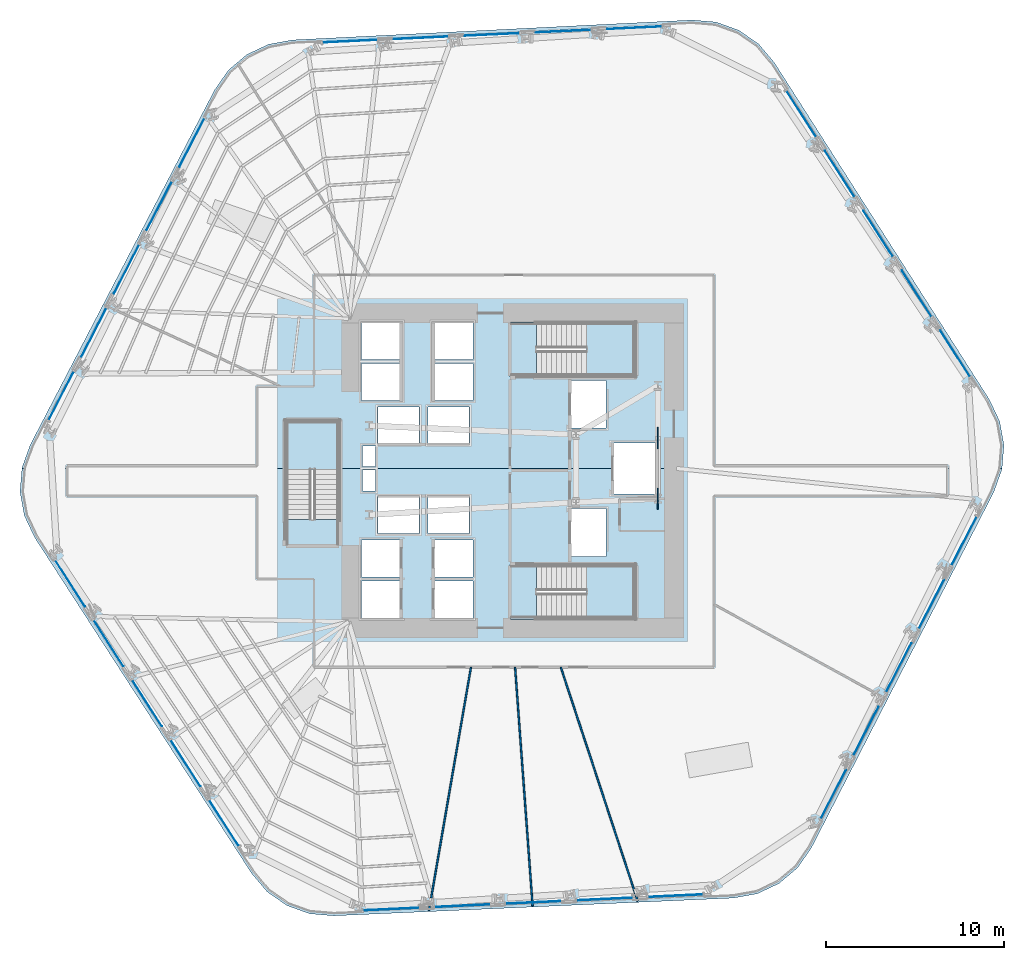
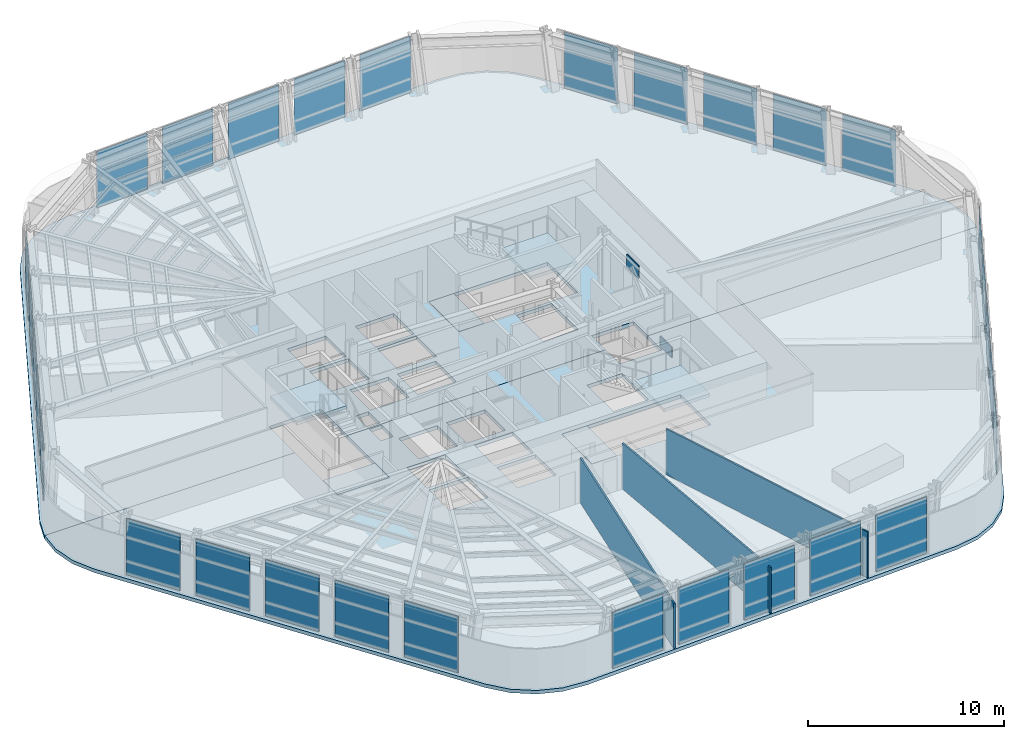
# One storey, part 7 of 15: 32 plates, 8 slabs, 3 walls, 9 elements without a shape of their own.
"""IFC4 building model written with IfcOpenShell, lengths in metres."""

from ifc_helpers import new_model, si_unit, direction, frame, frame_2d, origin, origin_2d, place, context, subcontext, project, spatial, polyline, rectangle, outline, extrude, material, layer, layer_set, type_object, element, aggregate, save


model = new_model("IFC4")

# Units and contexts
model_context = context("Model", 3, precision=1e-05, world=origin(), true_north=direction((0.0, 1.0)))
body_context = subcontext(model_context, "Body", "Model", "MODEL_VIEW")
ifc_project = project(units=[si_unit("LENGTHUNIT", "METRE"), si_unit("AREAUNIT", "SQUARE_METRE"), si_unit("VOLUMEUNIT", "CUBIC_METRE"), si_unit("PLANEANGLEUNIT", "RADIAN"), si_unit("MASSUNIT", "GRAM", prefix="KILO")], contexts=[model_context])

# Site, building, storey
site_placement = place(None, origin())
site = spatial("IfcSite", under=ifc_project, at=site_placement, CompositionType="ELEMENT")
building_placement = place(site_placement, origin())
building = spatial("IfcBuilding", under=site, at=building_placement, Name="Valkerne Bourse Tower", CompositionType="ELEMENT")
storey_placement = place(building_placement, frame((0.0, 0.0, 35.39990234375)))
storey = spatial("IfcBuildingStorey", under=building, at=storey_placement, Name="L08", CompositionType="ELEMENT", Elevation=35.39990234375)

# Curtain wall, plates
ifc_material_1 = material(Name="Aluminium AA 6063-T6", Category="aluminium")
ifc_layer_1 = layer(ifc_material_1, 0.22509765625)
ifc_layer_set_1 = layer_set([ifc_layer_1], Name="Aluminium AA 6063-T6")
curtain_wall_type = type_object("IfcCurtainWallType", Name="CW-01", PredefinedType="NOTDEFINED", material=ifc_layer_set_1)
curtain_wall_1_placement = place(storey_placement, origin())
curtain_wall_1 = element("IfcCurtainWall", 1, at=curtain_wall_1_placement, inside=storey, type_object=curtain_wall_type, Name="L08 Hexagonal Stick Curtain Wall Face 1", PredefinedType="NOTDEFINED")
ifc_material_2 = material(Name="Glass IGU Low-E Double Glazed", Category="glass")
ifc_layer_2 = layer(ifc_material_2, 0.031982421875)
ifc_layer_set_2 = layer_set([ifc_layer_2], Name="Glass IGU Low-E Double Glazed")
plate_type_1 = type_object("IfcPlateType", Name="CW-PNL-IGU-32", PredefinedType="CURTAIN_PANEL", material=ifc_layer_set_2)
plate_1_placement = place(storey_placement, frame((71.627197265625, 33.44140625, 0.030029296875), z_axis=(0.0, 0.0, 1.0), x_axis=(-0.540237656625, 0.841512492102, 0.0)))
plate_1 = element("IfcPlate", 2, at=plate_1_placement, type_object=plate_type_1, Name="CW-L08-F1 Curtain Panel 00", PredefinedType="CURTAIN_PANEL", context=body_context, shape_type="SweptSolid", body=[
    extrude(rectangle(XDim=3.075927734375, YDim=0.031982421875, at=origin_2d()), origin(), (0.0, 0.0, 1.0), 3.52001953125),
])
plate_2_placement = place(storey_placement, frame((69.46826171875, 36.80419921875, 0.030029296875), z_axis=(0.0, 0.0, 1.0), x_axis=(-0.540249033561, 0.841505188181, 0.0)))
plate_2 = element("IfcPlate", 3, at=plate_2_placement, type_object=plate_type_1, Name="CW-L08-F1 Curtain Panel 01", PredefinedType="CURTAIN_PANEL", context=body_context, shape_type="SweptSolid", body=[
    extrude(rectangle(XDim=3.075927734375, YDim=0.031982421875, at=origin_2d()), origin(), (0.0, 0.0, 1.0), 3.52001953125),
])
plate_3_placement = place(storey_placement, frame((67.3095703125, 40.166748046875, 0.030029296875), z_axis=(0.0, 0.0, 1.0), x_axis=(-0.540237656625, 0.841512492102, 0.0)))
plate_3 = element("IfcPlate", 4, at=plate_3_placement, type_object=plate_type_1, Name="CW-L08-F1 Curtain Panel 02", PredefinedType="CURTAIN_PANEL", context=body_context, shape_type="SweptSolid", body=[
    extrude(rectangle(XDim=3.075927734375, YDim=0.031982421875, at=origin_2d()), origin(), (0.0, 0.0, 1.0), 3.52001953125),
])
plate_4_placement = place(storey_placement, frame((65.150634765625, 43.529541015625, 0.030029296875), z_axis=(0.0, 0.0, 1.0), x_axis=(-0.540237656625, 0.841512492102, 0.0)))
plate_4 = element("IfcPlate", 5, at=plate_4_placement, type_object=plate_type_1, Name="CW-L08-F1 Curtain Panel 03", PredefinedType="CURTAIN_PANEL", context=body_context, shape_type="SweptSolid", body=[
    extrude(rectangle(XDim=3.075927734375, YDim=0.031982421875, at=origin_2d()), origin(), (0.0, 0.0, 1.0), 3.52001953125),
])
plate_5_placement = place(storey_placement, frame((62.991943359375, 46.89208984375, 0.030029296875), z_axis=(0.0, 0.0, 1.0), x_axis=(-0.540237656625, 0.841512492102, 0.0)))
plate_5 = element("IfcPlate", 6, at=plate_5_placement, type_object=plate_type_1, Name="CW-L08-F1 Curtain Panel 04", PredefinedType="CURTAIN_PANEL", context=body_context, shape_type="SweptSolid", body=[
    extrude(rectangle(XDim=3.075927734375, YDim=0.031982421875, at=origin_2d()), origin(), (0.0, 0.0, 1.0), 3.52001953125),
])
aggregate(curtain_wall_1, [plate_1, plate_2, plate_3, plate_4, plate_5])

curtain_wall_2_placement = place(storey_placement, origin())
curtain_wall_2 = element("IfcCurtainWall", 7, at=curtain_wall_2_placement, inside=storey, type_object=curtain_wall_type, Name="L08 Hexagonal Stick Curtain Wall Face 2", PredefinedType="NOTDEFINED")
plate_6_placement = place(storey_placement, frame((53.635009765625, 51.7216796875, 0.030029296875), z_axis=(0.0, 0.0, 1.0), x_axis=(-0.998890279552, -0.047097870623, 0.0)))
plate_6 = element("IfcPlate", 8, at=plate_6_placement, type_object=plate_type_1, Name="CW-L08-F2 Curtain Panel 00", PredefinedType="CURTAIN_PANEL", context=body_context, shape_type="SweptSolid", body=[
    extrude(rectangle(XDim=3.075927734375, YDim=0.031982421875, at=origin_2d()), origin(), (0.0, 0.0, 1.0), 3.52001953125),
])
plate_7_placement = place(storey_placement, frame((49.6435546875, 51.533203125, 0.030029296875), z_axis=(0.0, 0.0, 1.0), x_axis=(-0.998889157472, -0.047121662581, 0.0)))
plate_7 = element("IfcPlate", 9, at=plate_7_placement, type_object=plate_type_1, Name="CW-L08-F2 Curtain Panel 01", PredefinedType="CURTAIN_PANEL", context=body_context, shape_type="SweptSolid", body=[
    extrude(rectangle(XDim=3.075927734375, YDim=0.031982421875, at=origin_2d()), origin(), (0.0, 0.0, 1.0), 3.52001953125),
])
plate_8_placement = place(storey_placement, frame((45.65185546875, 51.34521484375, 0.030029296875), z_axis=(0.0, 0.0, 1.0), x_axis=(-0.998890335061, -0.047096693327, 0.0)))
plate_8 = element("IfcPlate", 10, at=plate_8_placement, type_object=plate_type_1, Name="CW-L08-F2 Curtain Panel 02", PredefinedType="CURTAIN_PANEL", context=body_context, shape_type="SweptSolid", body=[
    extrude(rectangle(XDim=3.076171875, YDim=0.031982421875, at=origin_2d()), origin(), (0.0, 0.0, 1.0), 3.52001953125),
])
plate_9_placement = place(storey_placement, frame((41.660400390625, 51.156982421875, 0.030029296875), z_axis=(0.0, 0.0, 1.0), x_axis=(-0.998890279552, -0.047097870623, 0.0)))
plate_9 = element("IfcPlate", 11, at=plate_9_placement, type_object=plate_type_1, Name="CW-L08-F2 Curtain Panel 03", PredefinedType="CURTAIN_PANEL", context=body_context, shape_type="SweptSolid", body=[
    extrude(rectangle(XDim=3.075927734375, YDim=0.031982421875, at=origin_2d()), origin(), (0.0, 0.0, 1.0), 3.52001953125),
])
plate_10_placement = place(storey_placement, frame((37.668701171875, 50.968505859375, 0.030029296875), z_axis=(0.0, 0.0, 1.0), x_axis=(-0.998889157472, -0.047121662581, 0.0)))
plate_10 = element("IfcPlate", 12, at=plate_10_placement, type_object=plate_type_1, Name="CW-L08-F2 Curtain Panel 04", PredefinedType="CURTAIN_PANEL", context=body_context, shape_type="SweptSolid", body=[
    extrude(rectangle(XDim=3.075927734375, YDim=0.031982421875, at=origin_2d()), origin(), (0.0, 0.0, 1.0), 3.52001953125),
])
aggregate(curtain_wall_2, [plate_6, plate_7, plate_8, plate_9, plate_10])

curtain_wall_3_placement = place(storey_placement, origin())
curtain_wall_3 = element("IfcCurtainWall", 13, at=curtain_wall_3_placement, inside=storey, type_object=curtain_wall_type, Name="L08 Hexagonal Stick Curtain Wall Face 3", PredefinedType="NOTDEFINED")
plate_11_placement = place(storey_placement, frame((28.807861328125, 45.280029296875, 0.030029296875), z_axis=(0.0, 0.0, 1.0), x_axis=(-0.458658218467, -0.888612760786, 0.0)))
plate_11 = element("IfcPlate", 14, at=plate_11_placement, type_object=plate_type_1, Name="CW-L08-F3 Curtain Panel 00", PredefinedType="CURTAIN_PANEL", context=body_context, shape_type="SweptSolid", body=[
    extrude(rectangle(XDim=3.075927734375, YDim=0.031982421875, at=origin_2d()), origin(), (0.0, 0.0, 1.0), 3.52001953125),
])
plate_12_placement = place(storey_placement, frame((26.97509765625, 41.729248046875, 0.030029296875), z_axis=(0.0, 0.0, 1.0), x_axis=(-0.458638457578, -0.888622960108, 0.0)))
plate_12 = element("IfcPlate", 15, at=plate_12_placement, type_object=plate_type_1, Name="CW-L08-F3 Curtain Panel 01", PredefinedType="CURTAIN_PANEL", context=body_context, shape_type="SweptSolid", body=[
    extrude(rectangle(XDim=3.075927734375, YDim=0.031982421875, at=origin_2d()), origin(), (0.0, 0.0, 1.0), 3.52001953125),
])
plate_13_placement = place(storey_placement, frame((25.142578125, 38.17822265625, 0.030029296875), z_axis=(0.0, 0.0, 1.0), x_axis=(-0.458658218467, -0.888612760786, 0.0)))
plate_13 = element("IfcPlate", 16, at=plate_13_placement, type_object=plate_type_1, Name="CW-L08-F3 Curtain Panel 02", PredefinedType="CURTAIN_PANEL", context=body_context, shape_type="SweptSolid", body=[
    extrude(rectangle(XDim=3.075927734375, YDim=0.031982421875, at=origin_2d()), origin(), (0.0, 0.0, 1.0), 3.52001953125),
])
plate_14_placement = place(storey_placement, frame((23.3095703125, 34.62744140625, 0.030029296875), z_axis=(0.0, 0.0, 1.0), x_axis=(-0.458658218467, -0.888612760786, 0.0)))
plate_14 = element("IfcPlate", 17, at=plate_14_placement, type_object=plate_type_1, Name="CW-L08-F3 Curtain Panel 03", PredefinedType="CURTAIN_PANEL", context=body_context, shape_type="SweptSolid", body=[
    extrude(rectangle(XDim=3.075927734375, YDim=0.031982421875, at=origin_2d()), origin(), (0.0, 0.0, 1.0), 3.52001953125),
])
plate_15_placement = place(storey_placement, frame((21.476806640625, 31.076416015625, 0.030029296875), z_axis=(0.0, 0.0, 1.0), x_axis=(-0.458638457578, -0.888622960108, 0.0)))
plate_15 = element("IfcPlate", 18, at=plate_15_placement, type_object=plate_type_1, Name="CW-L08-F3 Curtain Panel 04", PredefinedType="CURTAIN_PANEL", context=body_context, shape_type="SweptSolid", body=[
    extrude(rectangle(XDim=3.075927734375, YDim=0.031982421875, at=origin_2d()), origin(), (0.0, 0.0, 1.0), 3.52001953125),
])
aggregate(curtain_wall_3, [plate_11, plate_12, plate_13, plate_14, plate_15])

curtain_wall_4_placement = place(storey_placement, origin())
curtain_wall_4 = element("IfcCurtainWall", 19, at=curtain_wall_4_placement, inside=storey, type_object=curtain_wall_type, Name="L08 Hexagonal Stick Curtain Wall Face 4", PredefinedType="NOTDEFINED")
plate_16_placement = place(storey_placement, frame((21.972900390625, 20.55859375, 0.030029296875), z_axis=(0.0, 0.0, 1.0), x_axis=(0.540237656625, -0.841512492102, 0.0)))
plate_16 = element("IfcPlate", 20, at=plate_16_placement, type_object=plate_type_1, Name="CW-L08-F4 Curtain Panel 00", PredefinedType="CURTAIN_PANEL", context=body_context, shape_type="SweptSolid", body=[
    extrude(rectangle(XDim=3.075927734375, YDim=0.031982421875, at=origin_2d()), origin(), (0.0, 0.0, 1.0), 3.52001953125),
])
plate_17_placement = place(storey_placement, frame((24.131591796875, 17.19580078125, 0.030029296875), z_axis=(0.0, 0.0, 1.0), x_axis=(0.540249033561, -0.841505188181, 0.0)))
plate_17 = element("IfcPlate", 21, at=plate_17_placement, type_object=plate_type_1, Name="CW-L08-F4 Curtain Panel 01", PredefinedType="CURTAIN_PANEL", context=body_context, shape_type="SweptSolid", body=[
    extrude(rectangle(XDim=3.075927734375, YDim=0.031982421875, at=origin_2d()), origin(), (0.0, 0.0, 1.0), 3.52001953125),
])
plate_18_placement = place(storey_placement, frame((26.29052734375, 13.833251953125, 0.030029296875), z_axis=(0.0, 0.0, 1.0), x_axis=(0.540237656625, -0.841512492102, 0.0)))
plate_18 = element("IfcPlate", 22, at=plate_18_placement, type_object=plate_type_1, Name="CW-L08-F4 Curtain Panel 02", PredefinedType="CURTAIN_PANEL", context=body_context, shape_type="SweptSolid", body=[
    extrude(rectangle(XDim=3.075927734375, YDim=0.031982421875, at=origin_2d()), origin(), (0.0, 0.0, 1.0), 3.52001953125),
])
plate_19_placement = place(storey_placement, frame((28.44921875, 10.470458984375, 0.030029296875), z_axis=(0.0, 0.0, 1.0), x_axis=(0.540237656625, -0.841512492102, 0.0)))
plate_19 = element("IfcPlate", 23, at=plate_19_placement, type_object=plate_type_1, Name="CW-L08-F4 Curtain Panel 03", PredefinedType="CURTAIN_PANEL", context=body_context, shape_type="SweptSolid", body=[
    extrude(rectangle(XDim=3.075927734375, YDim=0.031982421875, at=origin_2d()), origin(), (0.0, 0.0, 1.0), 3.52001953125),
])
plate_20_placement = place(storey_placement, frame((30.608154296875, 7.10791015625, 0.030029296875), z_axis=(0.0, 0.0, 1.0), x_axis=(0.540237656625, -0.841512492102, 0.0)))
plate_20 = element("IfcPlate", 24, at=plate_20_placement, type_object=plate_type_1, Name="CW-L08-F4 Curtain Panel 04", PredefinedType="CURTAIN_PANEL", context=body_context, shape_type="SweptSolid", body=[
    extrude(rectangle(XDim=3.075927734375, YDim=0.031982421875, at=origin_2d()), origin(), (0.0, 0.0, 1.0), 3.52001953125),
])
aggregate(curtain_wall_4, [plate_16, plate_17, plate_18, plate_19, plate_20])

curtain_wall_5_placement = place(storey_placement, origin())
curtain_wall_5 = element("IfcCurtainWall", 25, at=curtain_wall_5_placement, inside=storey, type_object=curtain_wall_type, Name="L08 Hexagonal Stick Curtain Wall Face 5", PredefinedType="NOTDEFINED")
plate_21_placement = place(storey_placement, frame((39.965087890625, 2.2783203125, 0.030029296875), z_axis=(0.0, 0.0, 1.0), x_axis=(0.998890279552, 0.047097870623, 0.0)))
plate_21 = element("IfcPlate", 26, at=plate_21_placement, type_object=plate_type_1, Name="CW-L08-F5 Curtain Panel 00", PredefinedType="CURTAIN_PANEL", context=body_context, shape_type="SweptSolid", body=[
    extrude(rectangle(XDim=3.075927734375, YDim=0.031982421875, at=origin_2d()), origin(), (0.0, 0.0, 1.0), 3.52001953125),
])
plate_22_placement = place(storey_placement, frame((43.95654296875, 2.466796875, 0.030029296875), z_axis=(0.0, 0.0, 1.0), x_axis=(0.998889157472, 0.047121662581, 0.0)))
plate_22 = element("IfcPlate", 27, at=plate_22_placement, type_object=plate_type_1, Name="CW-L08-F5 Curtain Panel 01", PredefinedType="CURTAIN_PANEL", context=body_context, shape_type="SweptSolid", body=[
    extrude(rectangle(XDim=3.075927734375, YDim=0.031982421875, at=origin_2d()), origin(), (0.0, 0.0, 1.0), 3.52001953125),
])
plate_23_placement = place(storey_placement, frame((47.947998046875, 2.65478515625, 0.030029296875), z_axis=(0.0, 0.0, 1.0), x_axis=(0.998890335061, 0.047096693327, 0.0)))
plate_23 = element("IfcPlate", 28, at=plate_23_placement, type_object=plate_type_1, Name="CW-L08-F5 Curtain Panel 02", PredefinedType="CURTAIN_PANEL", context=body_context, shape_type="SweptSolid", body=[
    extrude(rectangle(XDim=3.076171875, YDim=0.031982421875, at=origin_2d()), origin(), (0.0, 0.0, 1.0), 3.52001953125),
])
plate_24_placement = place(storey_placement, frame((51.939697265625, 2.843017578125, 0.030029296875), z_axis=(0.0, 0.0, 1.0), x_axis=(0.998890279552, 0.047097870623, 0.0)))
plate_24 = element("IfcPlate", 29, at=plate_24_placement, type_object=plate_type_1, Name="CW-L08-F5 Curtain Panel 03", PredefinedType="CURTAIN_PANEL", context=body_context, shape_type="SweptSolid", body=[
    extrude(rectangle(XDim=3.075927734375, YDim=0.031982421875, at=origin_2d()), origin(), (0.0, 0.0, 1.0), 3.52001953125),
])
plate_25_placement = place(storey_placement, frame((55.93115234375, 3.03125, 0.030029296875), z_axis=(0.0, 0.0, 1.0), x_axis=(0.998889157472, 0.047121662581, 0.0)))
plate_25 = element("IfcPlate", 30, at=plate_25_placement, type_object=plate_type_1, Name="CW-L08-F5 Curtain Panel 04", PredefinedType="CURTAIN_PANEL", context=body_context, shape_type="SweptSolid", body=[
    extrude(rectangle(XDim=3.075927734375, YDim=0.031982421875, at=origin_2d()), origin(), (0.0, 0.0, 1.0), 3.52001953125),
])
aggregate(curtain_wall_5, [plate_21, plate_22, plate_23, plate_24, plate_25])

curtain_wall_6_placement = place(storey_placement, origin())
curtain_wall_6 = element("IfcCurtainWall", 31, at=curtain_wall_6_placement, inside=storey, type_object=curtain_wall_type, Name="L08 Hexagonal Stick Curtain Wall Face 6", PredefinedType="NOTDEFINED")
plate_26_placement = place(storey_placement, frame((64.7919921875, 8.719970703125, 0.030029296875), z_axis=(0.0, 0.0, 1.0), x_axis=(0.458658218467, 0.888612760786, 0.0)))
plate_26 = element("IfcPlate", 32, at=plate_26_placement, type_object=plate_type_1, Name="CW-L08-F6 Curtain Panel 00", PredefinedType="CURTAIN_PANEL", context=body_context, shape_type="SweptSolid", body=[
    extrude(rectangle(XDim=3.075927734375, YDim=0.031982421875, at=origin_2d()), origin(), (0.0, 0.0, 1.0), 3.52001953125),
])
plate_27_placement = place(storey_placement, frame((66.624755859375, 12.270751953125, 0.030029296875), z_axis=(0.0, 0.0, 1.0), x_axis=(0.458638457578, 0.888622960108, 0.0)))
plate_27 = element("IfcPlate", 33, at=plate_27_placement, type_object=plate_type_1, Name="CW-L08-F6 Curtain Panel 01", PredefinedType="CURTAIN_PANEL", context=body_context, shape_type="SweptSolid", body=[
    extrude(rectangle(XDim=3.075927734375, YDim=0.031982421875, at=origin_2d()), origin(), (0.0, 0.0, 1.0), 3.52001953125),
])
plate_28_placement = place(storey_placement, frame((68.45751953125, 15.82177734375, 0.030029296875), z_axis=(0.0, 0.0, 1.0), x_axis=(0.458658218467, 0.888612760786, 0.0)))
plate_28 = element("IfcPlate", 34, at=plate_28_placement, type_object=plate_type_1, Name="CW-L08-F6 Curtain Panel 02", PredefinedType="CURTAIN_PANEL", context=body_context, shape_type="SweptSolid", body=[
    extrude(rectangle(XDim=3.075927734375, YDim=0.031982421875, at=origin_2d()), origin(), (0.0, 0.0, 1.0), 3.52001953125),
])
plate_29_placement = place(storey_placement, frame((70.290283203125, 19.37255859375, 0.030029296875), z_axis=(0.0, 0.0, 1.0), x_axis=(0.458658218467, 0.888612760786, 0.0)))
plate_29 = element("IfcPlate", 35, at=plate_29_placement, type_object=plate_type_1, Name="CW-L08-F6 Curtain Panel 03", PredefinedType="CURTAIN_PANEL", context=body_context, shape_type="SweptSolid", body=[
    extrude(rectangle(XDim=3.075927734375, YDim=0.031982421875, at=origin_2d()), origin(), (0.0, 0.0, 1.0), 3.52001953125),
])
plate_30_placement = place(storey_placement, frame((72.123046875, 22.923583984375, 0.030029296875), z_axis=(0.0, 0.0, 1.0), x_axis=(0.458638457578, 0.888622960108, 0.0)))
plate_30 = element("IfcPlate", 36, at=plate_30_placement, type_object=plate_type_1, Name="CW-L08-F6 Curtain Panel 04", PredefinedType="CURTAIN_PANEL", context=body_context, shape_type="SweptSolid", body=[
    extrude(rectangle(XDim=3.075927734375, YDim=0.031982421875, at=origin_2d()), origin(), (0.0, 0.0, 1.0), 3.52001953125),
])
aggregate(curtain_wall_6, [plate_26, plate_27, plate_28, plate_29, plate_30])

# Plates
ifc_material_3 = material(Name="Steel ASTM A572 Grade 50", Category="steel")
ifc_layer_3 = layer(ifc_material_3, 0.06005859375)
ifc_layer_set_3 = layer_set([ifc_layer_3], Name="Steel ASTM A572 Grade 50")
plate_type_2 = type_object("IfcPlateType", Name="PLT-GUS-60", PredefinedType="SHEET", material=ifc_layer_set_3)
for number, where, z_axis, x_axis, name in (
    (37, (54.949951171875, 25.300048828125, -0.1796875), (0.0, 0.0, 1.0), (0.0, 1.0, 0.0), "L08 Brace Node Gusset Plate PLT-GUS-END-L08-332"),
    (38, (54.949951171875, 28.699951171875, 2.8740234375), (0.0, 0.0, 1.0), (0.0, 1.0, 0.0), "L08 Brace Node Gusset Plate PLT-GUS-END-L08-333"),
):
    element("IfcPlate", number, at=place(storey_placement, frame(where, z_axis=z_axis, x_axis=x_axis)), inside=storey, type_object=plate_type_2, Name=name, PredefinedType="SHEET", context=body_context, shape_type="SweptSolid", body=[
        extrude(rectangle(XDim=1.199951171875, YDim=0.06005859375, at=origin_2d()), origin(), (0.0, 0.0, 1.0), 0.800048828125),
    ])

# Slabs
ifc_material_4 = material(Name="Concrete C40/50", Category="concrete")
ifc_layer_4 = layer(ifc_material_4, 0.25)
ifc_layer_set_4 = layer_set([ifc_layer_4], Name="Concrete C40/50")
slab_type_1 = type_object("IfcSlabType", Name="SLB-RMP-LND-250", PredefinedType="LANDING", material=ifc_layer_set_4)
slab_1_placement = place(storey_placement, frame((0.0, 0.0, -0.219970703125)))
element("IfcSlab", 39, at=slab_1_placement, inside=storey, type_object=slab_type_1, Name="L08 ST-1 Floor Landing Slab", PredefinedType="LANDING", context=body_context, shape_type="SweptSolid", body=[
    extrude(outline(polyline([(46.669921875, 18.5400390625), (48.14990234375, 18.5400390625), (48.14990234375, 21.610107421875), (46.669921875, 21.610107421875), (46.669921875, 18.5400390625)])), origin(), (0.0, 0.0, 1.0), 0.219970703125),
])
slab_2_placement = place(storey_placement, frame((0.0, 0.0, -0.219970703125)))
element("IfcSlab", 40, at=slab_2_placement, inside=storey, type_object=slab_type_1, Name="L08 ST-2 Floor Landing Slab", PredefinedType="LANDING", context=body_context, shape_type="SweptSolid", body=[
    extrude(outline(polyline([(46.669921875, 32.139892578125), (48.14990234375, 32.139892578125), (48.14990234375, 35.2099609375), (46.669921875, 35.2099609375), (46.669921875, 32.139892578125)])), origin(), (0.0, 0.0, 1.0), 0.219970703125),
])
slab_3_placement = place(storey_placement, frame((0.0, 0.0, -0.219970703125)))
element("IfcSlab", 41, at=slab_3_placement, inside=storey, type_object=slab_type_1, Name="L08 ST-3 Floor Landing Slab", PredefinedType="LANDING", context=body_context, shape_type="SweptSolid", body=[
    extrude(outline(polyline([(37.110107421875, 22.669921875), (37.110107421875, 24.14990234375), (34.0400390625, 24.14990234375), (34.0400390625, 22.669921875), (37.110107421875, 22.669921875)])), origin(), (0.0, 0.0, 1.0), 0.219970703125),
])

# Stair, slab
stair_type = type_object("IfcStairType", Name="ST-CORE-1400", PredefinedType="HALF_TURN_STAIR", material=ifc_material_4)
stair_1_placement = place(storey_placement, origin())
stair_1 = element("IfcStair", 42, at=stair_1_placement, inside=storey, type_object=stair_type, Name="L08 ST-1", PredefinedType="HALF_TURN_STAIR")
ifc_layer_5 = layer(ifc_material_4, 0.179931640625)
ifc_layer_set_5 = layer_set([ifc_layer_5], Name="Concrete C40/50")
slab_type_2 = type_object("IfcSlabType", Name="SLB-ST-LND-180", PredefinedType="LANDING", material=ifc_layer_set_5)
slab_4_placement = place(storey_placement, frame((0.0, 0.0, 1.7001953125)))
slab_4 = element("IfcSlab", 43, at=slab_4_placement, type_object=slab_type_2, Name="ST-1 landing 1", PredefinedType="LANDING", context=body_context, shape_type="SweptSolid", body=[
    extrude(outline(polyline([(50.949951171875, 18.60009765625), (53.64990234375, 18.60009765625), (53.64990234375, 21.550048828125), (50.949951171875, 21.550048828125), (50.949951171875, 18.60009765625)])), origin(), (0.0, 0.0, 1.0), 0.199951171875),
])
aggregate(stair_1, [slab_4])

stair_2_placement = place(storey_placement, origin())
stair_2 = element("IfcStair", 44, at=stair_2_placement, inside=storey, type_object=stair_type, Name="L08 ST-2", PredefinedType="HALF_TURN_STAIR")
slab_5_placement = place(storey_placement, frame((0.0, 0.0, 1.7001953125)))
slab_5 = element("IfcSlab", 45, at=slab_5_placement, type_object=slab_type_2, Name="ST-2 landing 1", PredefinedType="LANDING", context=body_context, shape_type="SweptSolid", body=[
    extrude(outline(polyline([(50.949951171875, 32.199951171875), (53.64990234375, 32.199951171875), (53.64990234375, 35.14990234375), (50.949951171875, 35.14990234375), (50.949951171875, 32.199951171875)])), origin(), (0.0, 0.0, 1.0), 0.199951171875),
])
aggregate(stair_2, [slab_5])

stair_3_placement = place(storey_placement, origin())
stair_3 = element("IfcStair", 46, at=stair_3_placement, inside=storey, type_object=stair_type, Name="L08 ST-3", PredefinedType="HALF_TURN_STAIR")
slab_6_placement = place(storey_placement, frame((0.0, 0.0, 1.7001953125)))
slab_6 = element("IfcSlab", 47, at=slab_6_placement, type_object=slab_type_2, Name="ST-3 landing 1", PredefinedType="LANDING", context=body_context, shape_type="SweptSolid", body=[
    extrude(outline(polyline([(37.050048828125, 26.949951171875), (37.050048828125, 29.64990234375), (34.10009765625, 29.64990234375), (34.10009765625, 26.949951171875), (37.050048828125, 26.949951171875)])), origin(), (0.0, 0.0, 1.0), 0.199951171875),
])
aggregate(stair_3, [slab_6])

# Slabs
ifc_layer_6 = layer(ifc_material_4, 0.219970703125)
ifc_layer_set_6 = layer_set([ifc_layer_6], Name="Concrete C40/50")
slab_type_3 = type_object("IfcSlabType", Name="SLB-TOW-220", PredefinedType="FLOOR", material=ifc_layer_set_6)
slab_7_placement = place(storey_placement, frame((0.0, 0.0, -0.219970703125)))
element("IfcSlab", 48, at=slab_7_placement, inside=storey, type_object=slab_type_3, Name="L08 Hexagonal Composite Floor Slab S", PredefinedType="FLOOR", context=body_context, shape_type="SweptSolid", body=[
    extrude(outline(polyline([(62.782958984375, 4.59521484375), (61.74609375, 3.718994140625), (60.517822265625, 3.14111328125), (59.181884765625, 2.90087890625), (36.773193359375, 1.90478515625), (35.42041015625, 2.018310546875), (34.143310546875, 2.47802734375), (33.028564453125, 3.252685546875), (32.15234375, 4.289794921875), (19.9833984375, 23.132568359375), (19.405517578125, 24.36083984375), (19.165283203125, 25.69677734375), (19.2744140625, 27.0), (34.034912109375, 27.0), (34.034912109375, 22.6650390625), (37.114990234375, 22.6650390625), (37.114990234375, 27.0), (52.360107421875, 27.0), (52.360107421875, 25.56005859375), (54.840087890625, 25.56005859375), (54.840087890625, 27.0), (74.255615234375, 27.0), (74.251220703125, 26.947265625), (73.79150390625, 25.669921875), (63.5576171875, 5.7099609375), (62.782958984375, 4.59521484375)]), holes=[polyline([(40.590087890625, 20.68994140625), (38.31005859375, 20.68994140625), (38.31005859375, 18.610107421875), (40.590087890625, 18.610107421875), (40.590087890625, 20.68994140625)]), polyline([(40.590087890625, 22.989990234375), (38.31005859375, 22.989990234375), (38.31005859375, 20.909912109375), (40.590087890625, 20.909912109375), (40.590087890625, 22.989990234375)]), polyline([(41.5400390625, 25.43994140625), (39.260009765625, 25.43994140625), (39.260009765625, 23.360107421875), (41.5400390625, 23.360107421875), (41.5400390625, 25.43994140625)]), polyline([(39.10009765625, 25.72998046875), (39.10009765625, 26.89990234375), (38.3798828125, 26.89990234375), (38.3798828125, 25.72998046875), (39.10009765625, 25.72998046875)]), polyline([(44.590087890625, 20.68994140625), (42.31005859375, 20.68994140625), (42.31005859375, 18.610107421875), (44.590087890625, 18.610107421875), (44.590087890625, 20.68994140625)]), polyline([(53.675048828125, 21.614990234375), (46.6650390625, 21.614990234375), (46.6650390625, 18.534912109375), (53.675048828125, 18.534912109375), (53.675048828125, 21.614990234375)]), polyline([(44.590087890625, 22.989990234375), (42.31005859375, 22.989990234375), (42.31005859375, 20.909912109375), (44.590087890625, 20.909912109375), (44.590087890625, 22.989990234375)]), polyline([(52.0400390625, 22.06005859375), (52.0400390625, 24.739990234375), (49.9599609375, 24.739990234375), (49.9599609375, 22.06005859375), (52.0400390625, 22.06005859375)]), polyline([(44.340087890625, 23.360107421875), (44.340087890625, 25.43994140625), (42.06005859375, 25.43994140625), (42.06005859375, 23.360107421875), (44.340087890625, 23.360107421875)])]), origin(), (0.0, 0.0, 1.0), 0.219970703125),
])
slab_8_placement = place(storey_placement, frame((0.0, 0.0, -0.219970703125)))
element("IfcSlab", 49, at=slab_8_placement, inside=storey, type_object=slab_type_3, Name="L08 Hexagonal Composite Floor Slab N", PredefinedType="FLOOR", context=body_context, shape_type="SweptSolid", body=[
    extrude(outline(polyline([(19.27880859375, 27.049560546875), (19.738525390625, 28.32666015625), (30.080078125, 48.231201171875), (30.85498046875, 49.345703125), (31.891845703125, 50.221923828125), (33.1201171875, 50.7998046875), (34.4560546875, 51.040283203125), (56.85888671875, 52.157470703125), (58.211669921875, 52.0439453125), (59.48876953125, 51.583984375), (60.603515625, 50.809326171875), (61.479736328125, 49.7724609375), (73.546630859375, 30.8642578125), (74.12451171875, 29.635986328125), (74.364990234375, 28.2998046875), (74.255615234375, 27.0), (54.840087890625, 27.0), (54.840087890625, 28.43994140625), (52.360107421875, 28.43994140625), (52.360107421875, 27.0), (37.114990234375, 27.0), (37.114990234375, 29.675048828125), (34.034912109375, 29.675048828125), (34.034912109375, 27.0), (19.2744140625, 27.0), (19.27880859375, 27.049560546875)]), holes=[polyline([(39.10009765625, 28.27001953125), (38.3798828125, 28.27001953125), (38.3798828125, 27.10009765625), (39.10009765625, 27.10009765625), (39.10009765625, 28.27001953125)]), polyline([(41.5400390625, 30.43994140625), (39.260009765625, 30.43994140625), (39.260009765625, 28.360107421875), (41.5400390625, 28.360107421875), (41.5400390625, 30.43994140625)]), polyline([(44.340087890625, 30.43994140625), (42.06005859375, 30.43994140625), (42.06005859375, 28.360107421875), (44.340087890625, 28.360107421875), (44.340087890625, 30.43994140625)]), polyline([(40.590087890625, 30.81005859375), (40.590087890625, 32.889892578125), (38.31005859375, 32.889892578125), (38.31005859375, 30.81005859375), (40.590087890625, 30.81005859375)]), polyline([(40.590087890625, 33.110107421875), (40.590087890625, 35.18994140625), (38.31005859375, 35.18994140625), (38.31005859375, 33.110107421875), (40.590087890625, 33.110107421875)]), polyline([(52.0400390625, 31.93994140625), (49.9599609375, 31.93994140625), (49.9599609375, 29.260009765625), (52.0400390625, 29.260009765625), (52.0400390625, 31.93994140625)]), polyline([(44.590087890625, 32.889892578125), (42.31005859375, 32.889892578125), (42.31005859375, 30.81005859375), (44.590087890625, 30.81005859375), (44.590087890625, 32.889892578125)]), polyline([(53.675048828125, 32.135009765625), (53.675048828125, 35.215087890625), (46.6650390625, 35.215087890625), (46.6650390625, 32.135009765625), (53.675048828125, 32.135009765625)]), polyline([(44.590087890625, 33.110107421875), (44.590087890625, 35.18994140625), (42.31005859375, 35.18994140625), (42.31005859375, 33.110107421875), (44.590087890625, 33.110107421875)])]), origin(), (0.0, 0.0, 1.0), 0.219970703125),
])

# Walls
ifc_material_5 = material(Name="Gypsum Board Steel-Stud Partition", Category="steel")
ifc_layer_7 = layer(ifc_material_5, 0.092041015625)
ifc_layer_set_7 = layer_set([ifc_layer_7], Name="Gypsum Board Steel-Stud Partition")
wall_type = type_object("IfcWallType", Name="W-PART-115", PredefinedType="PARTITIONING", material=ifc_layer_set_7)
wall_1_placement = place(storey_placement, frame((44.463134765625, 15.844970703125, 0.0), z_axis=(0.0, 0.0, 1.0), x_axis=(-0.170202378947, -0.985409128332, 0.0)))
element("IfcWall", 50, at=wall_1_placement, inside=storey, type_object=wall_type, Name="L08 Suite Partition P01", PredefinedType="PARTITIONING", context=body_context, shape_type="SweptSolid", body=[
    extrude(rectangle(XDim=13.8349609375, YDim=0.092041015625, at=frame_2d((6.91748046875, 0.0))), origin(), (0.0, 0.0, 1.0), 2.800537109375),
])
wall_2_placement = place(storey_placement, frame((46.9384765625, 15.844970703125, 0.0), z_axis=(0.0, 0.0, 1.0), x_axis=(0.07323797905, -0.997314493239, 0.0)))
element("IfcWall", 51, at=wall_2_placement, inside=storey, type_object=wall_type, Name="L08 Suite Partition P02", PredefinedType="PARTITIONING", context=body_context, shape_type="SweptSolid", body=[
    extrude(rectangle(XDim=13.410888671875, YDim=0.092041015625, at=frame_2d((6.70556640625, 0.0))), origin(), (0.0, 0.0, 1.0), 2.864013671875),
])
wall_3_placement = place(storey_placement, frame((49.505859375, 15.844970703125, 0.0), z_axis=(0.0, 0.0, 1.0), x_axis=(0.312340972771, -0.949970060964, 0.0)))
element("IfcWall", 52, at=wall_3_placement, inside=storey, type_object=wall_type, Name="L08 Suite Partition P03", PredefinedType="PARTITIONING", context=body_context, shape_type="SweptSolid", body=[
    extrude(rectangle(XDim=13.80322265625, YDim=0.092041015625, at=frame_2d((6.901611328125, 0.0))), origin(), (0.0, 0.0, 1.0), 2.864013671875),
])

save(model, "model.ifc")
